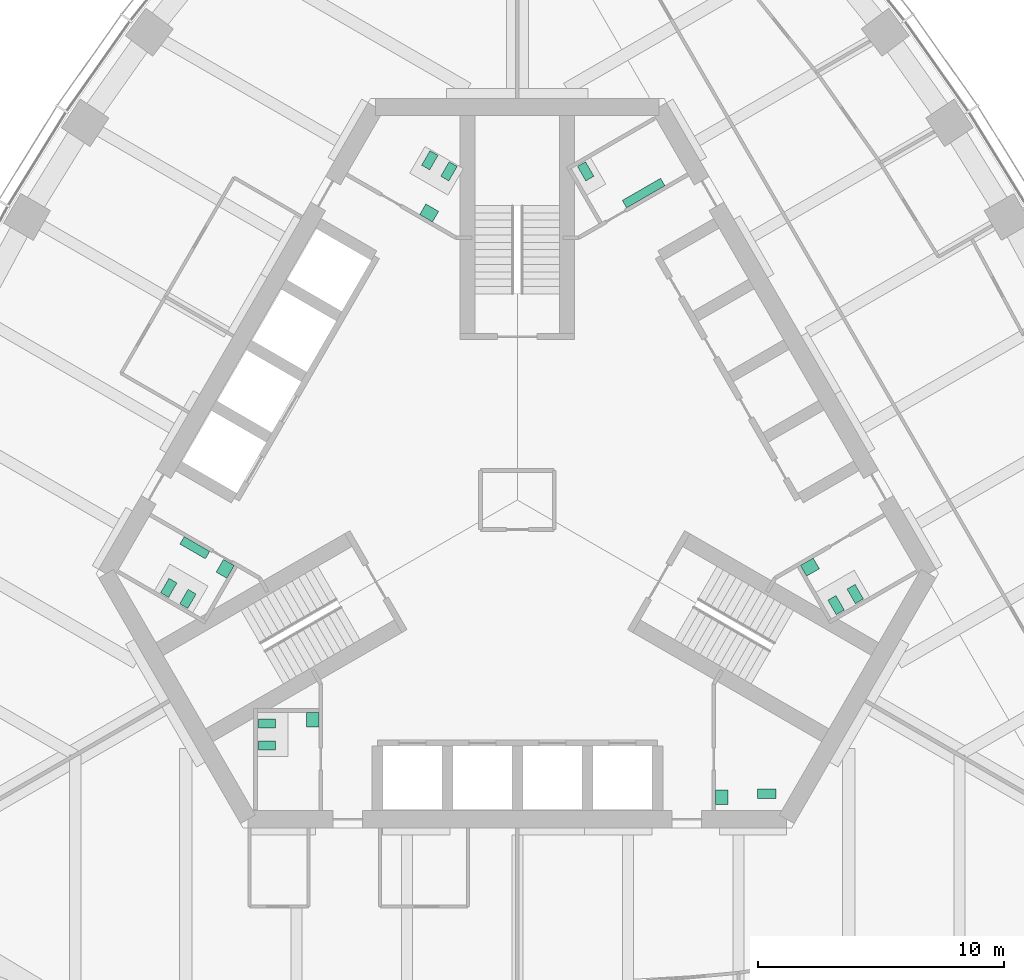
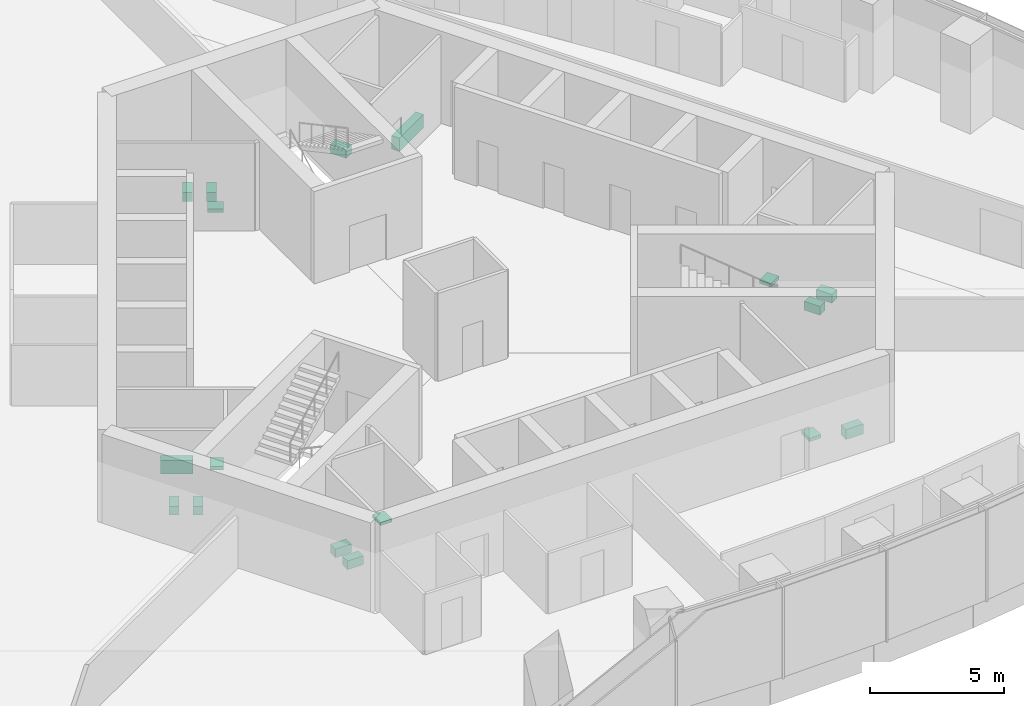
# One storey, part 14 of 15: 17 sanitary terminals.
"""IFC4 building model written with IfcOpenShell, lengths in metres."""

import ifcopenshell
import ifcopenshell.guid

model = None  # the IFC model being written
_history = None  # IfcOwnerHistory: only IFC2X3 demands one
_inside = {}  # id of a spatial element -> (the spatial element, [elements in it])
_under = {}  # id of a project, library or spatial element -> (it, [spatial elements below it])
_declared = {}  # id of a project -> (the project, [libraries it declares])
_typed = {}  # id of a type object -> (the type object, [elements of that type])
_made_of = {}  # id of a material, layer set ... -> (it, [elements and type objects made of it])


def new_model(schema):
    """Start an empty IFC model of exactly this schema.

    Asked for "IFC4X3", IfcOpenShell would pick the latest addendum, in which some entities
    have other attributes; the version numbers below select the first issue.
    IFC2X3 requires an IfcOwnerHistory on every rooted entity: one is made here for all.
    """
    global model, _history
    if schema == "IFC4X3":
        model = ifcopenshell.file(schema_version=(4, 3, 0, 0))
    else:
        model = ifcopenshell.file(schema=schema)
    _inside.clear()
    _under.clear()
    _declared.clear()
    _typed.clear()
    _made_of.clear()
    _history = None
    if model.schema == "IFC2X3":
        org = make("IfcOrganization", Name="unknown")
        user = make(
            "IfcPersonAndOrganization",
            ThePerson=make("IfcPerson", FamilyName="unknown"),
            TheOrganization=org,
        )
        app = make(
            "IfcApplication",
            ApplicationDeveloper=org,
            Version="unknown",
            ApplicationFullName="unknown",
            ApplicationIdentifier="unknown",
        )
        _history = make(
            "IfcOwnerHistory",
            OwningUser=user,
            OwningApplication=app,
            ChangeAction="ADDED",
            CreationDate=0,
        )
    return model


def make(cls, **values):
    """One entity of the class cls with the attributes given. An attribute that is None is left unset."""
    return model.create_entity(
        cls, **{name: value for name, value in values.items() if value is not None}
    )


def rooted(cls, **values):
    """An entity with a GlobalId (a new one), such as an element, a storey or a relation."""
    return make(cls, GlobalId=ifcopenshell.guid.new(), OwnerHistory=_history, **values)


def si_unit(unit_type, name, prefix=None):
    """IfcSIUnit, for example si_unit("LENGTHUNIT", "METRE", prefix="MILLI")."""
    return make("IfcSIUnit", UnitType=unit_type, Prefix=prefix, Name=name)


def assignment(units):
    """IfcUnitAssignment: the units of a project."""
    return None if units is None else make("IfcUnitAssignment", Units=units)


def point(xyz):
    """IfcCartesianPoint."""
    return None if xyz is None else make("IfcCartesianPoint", Coordinates=xyz)


def direction(xyz):
    """IfcDirection."""
    return None if xyz is None else make("IfcDirection", DirectionRatios=xyz)


def frame(location, z_axis=None, x_axis=None):
    """IfcAxis2Placement3D, a coordinate frame: its origin and axes. An axis left out is left unset."""
    return make(
        "IfcAxis2Placement3D",
        Location=point(location),
        Axis=direction(z_axis),
        RefDirection=direction(x_axis),
    )


def origin():
    """The frame at (0, 0, 0) with its axes left unset."""
    return frame((0.0, 0.0, 0.0))


def place(relative_to, where):
    """IfcLocalPlacement: puts the frame where relative to a parent placement (None: the world)."""
    return make(
        "IfcLocalPlacement", PlacementRelTo=relative_to, RelativePlacement=where
    )


def context(
    kind, dimensions, precision=None, world=None, true_north=None, identifier=None
):
    """IfcGeometricRepresentationContext, for example the 3D "Model" context."""
    return make(
        "IfcGeometricRepresentationContext",
        ContextIdentifier=identifier,
        ContextType=kind,
        CoordinateSpaceDimension=dimensions,
        Precision=precision,
        WorldCoordinateSystem=world,
        TrueNorth=true_north,
    )


def subcontext(parent, identifier, kind, view, scale=None):
    """IfcGeometricRepresentationSubContext, for example "Body" below "Model"."""
    return make(
        "IfcGeometricRepresentationSubContext",
        ContextIdentifier=identifier,
        ContextType=kind,
        ParentContext=parent,
        TargetScale=scale,
        TargetView=view,
    )


def project(units=None, contexts=None):
    """IfcProject with its units and contexts."""
    return rooted(
        "IfcProject",
        Name="project",
        RepresentationContexts=contexts,
        UnitsInContext=assignment(units),
    )


def spatial(cls, under=None, at=None, **own):
    """A site, building, storey or space (cls), placed at a placement, below another one or the project."""
    s = rooted(cls, ObjectPlacement=at, **own)
    if under is not None:
        _under.setdefault(under.id(), (under, []))[1].append(s)
    return s


def polyline(points):
    """IfcPolyline through the points."""
    return make("IfcPolyline", Points=[point(p) for p in points])


def outline(outer, holes=None, kind="AREA"):
    """IfcArbitraryClosedProfileDef: a profile drawn as a closed curve; with holes, ...WithVoids."""
    if holes is None:
        return make("IfcArbitraryClosedProfileDef", ProfileType=kind, OuterCurve=outer)
    return make(
        "IfcArbitraryProfileDefWithVoids",
        ProfileType=kind,
        OuterCurve=outer,
        InnerCurves=holes,
    )


def extrude(swept, where, along, depth):
    """IfcExtrudedAreaSolid: the profile swept, set in the frame where, extruded along a direction by depth."""
    return make(
        "IfcExtrudedAreaSolid",
        SweptArea=swept,
        Position=where,
        ExtrudedDirection=direction(along),
        Depth=depth,
    )


def shape(context_of_items, identifier, shape_type, items):
    """IfcShapeRepresentation: the items that make up one representation, for example the "Body"."""
    return make(
        "IfcShapeRepresentation",
        ContextOfItems=context_of_items,
        RepresentationIdentifier=identifier,
        RepresentationType=shape_type,
        Items=items,
    )


def material(Name=None, Category=None):
    """IfcMaterial."""
    return make("IfcMaterial", Name=Name, Category=Category)


def made_of(thing, what):
    """Note that an element or type object is made of a material, layer set ...; save() writes the relation."""
    if what is not None:
        _made_of.setdefault(what.id(), (what, []))[1].append(thing)
    return thing


def type_object(cls, material=None, **own):
    """A type object (cls), such as IfcWallType, which elements share."""
    return made_of(rooted(cls, **own), material)


def element(
    cls,
    number,
    at=None,
    inside=None,
    cuts=None,
    type_object=None,
    material=None,
    context=None,
    identifier="Body",
    shape_type=None,
    held_by="IfcProductDefinitionShape",
    body=None,
    shapes=None,
    **own,
):
    """One element of the class cls, such as IfcWall. Its Tag is "e" and its number.

    at: its placement. inside: the storey or other place that contains it. cuts: it is an
    opening in that element (IfcRelVoidsElement). A single representation is given by context,
    identifier, shape_type and body (its items); several are given by shapes. held_by: the class
    of the entity that holds the representations. save() writes the other relations.
    """
    e = rooted(cls, Tag="e%d" % number, ObjectPlacement=at, **own)
    if body is not None:
        shapes = [shape(context, identifier, shape_type, body)]
    if shapes is not None:
        e.Representation = make(held_by, Representations=shapes)
    if inside is not None:
        _inside.setdefault(inside.id(), (inside, []))[1].append(e)
    if cuts is not None:
        rooted(
            "IfcRelVoidsElement", RelatingBuildingElement=cuts, RelatedOpeningElement=e
        )
    if type_object is not None:
        _typed.setdefault(type_object.id(), (type_object, []))[1].append(e)
    return made_of(e, material)


def aggregate(whole, parts):
    """IfcRelAggregates: a whole, such as a stair, and the parts it consists of."""
    return rooted("IfcRelAggregates", RelatingObject=whole, RelatedObjects=parts)


def save(model, path):
    """Write the relations noted so far, then the file.

    IfcRelAggregates (storeys below a building ...), IfcRelContainedInSpatialStructure (elements
    in a storey), IfcRelDefinesByType, IfcRelAssociatesMaterial and IfcRelDeclares: one each for
    every whole, place, type object, material and project.
    """
    for whole, parts in _under.values():
        aggregate(whole, parts)
    for where, things in _inside.values():
        rooted(
            "IfcRelContainedInSpatialStructure",
            RelatedElements=things,
            RelatingStructure=where,
        )
    for kind, things in _typed.values():
        rooted("IfcRelDefinesByType", RelatedObjects=things, RelatingType=kind)
    for what, things in _made_of.values():
        rooted("IfcRelAssociatesMaterial", RelatedObjects=things, RelatingMaterial=what)
    for by, libraries in _declared.values():
        rooted("IfcRelDeclares", RelatingContext=by, RelatedDefinitions=libraries)
    model.write(path)


model = new_model("IFC4")

# Units and contexts
model_context = context("Model", 3, precision=1e-05, world=origin(), true_north=direction((0.0, 1.0)))
body_context = subcontext(model_context, "Body", "Model", "MODEL_VIEW")
ifc_project = project(units=[si_unit("LENGTHUNIT", "METRE"), si_unit("AREAUNIT", "SQUARE_METRE"), si_unit("VOLUMEUNIT", "CUBIC_METRE"), si_unit("PLANEANGLEUNIT", "RADIAN"), si_unit("MASSUNIT", "GRAM", prefix="KILO")], contexts=[model_context])

# Site, building, storey
site_placement = place(None, origin())
site = spatial("IfcSite", under=ifc_project, at=site_placement, CompositionType="ELEMENT")
building_placement = place(site_placement, origin())
building = spatial("IfcBuilding", under=site, at=building_placement, Name="Trefoil Bronze Tower", CompositionType="ELEMENT")
storey_placement = place(building_placement, frame((0.0, 0.0, 276.300048828125)))
storey = spatial("IfcBuildingStorey", under=building, at=storey_placement, Name="L63", CompositionType="ELEMENT", Elevation=276.300048828125)

# Sanitary terminals
ifc_material_1 = material(Name="Vitreous china", Category="ceramic")
sanitary_terminal_type_1 = type_object("IfcSanitaryTerminalType", Name="Accessible WC pan", PredefinedType="TOILETPAN", material=ifc_material_1)
sanitary_terminal_1_placement = place(storey_placement, origin())
element("IfcSanitaryTerminal", 1, at=sanitary_terminal_1_placement, inside=storey, type_object=sanitary_terminal_type_1, Name="WC pan 1 Accessible WC L63", PredefinedType="TOILETPAN", context=body_context, shape_type="SweptSolid", body=[
    extrude(outline(polyline([(9.784912109375, -11.77001953125), (10.534912109375, -11.77001953125), (10.534912109375, -12.14990234375), (9.784912109375, -12.14990234375), (9.784912109375, -11.77001953125)])), origin(), (0.0, 0.0, 1.0), 0.449951171875),
])
ifc_material_2 = material(Name="Vitreous china", Category="ceramic")
sanitary_terminal_type_2 = type_object("IfcSanitaryTerminalType", Name="Accessible basin", PredefinedType="WASHHANDBASIN", material=ifc_material_2)
sanitary_terminal_2_placement = place(storey_placement, frame((0.0, 0.0, 0.64990234375)))
element("IfcSanitaryTerminal", 2, at=sanitary_terminal_2_placement, inside=storey, type_object=sanitary_terminal_type_2, Name="Wash basin Accessible WC L63", PredefinedType="WASHHANDBASIN", context=body_context, shape_type="SweptSolid", body=[
    extrude(outline(polyline([(8.074951171875, -11.800048828125), (8.574951171875, -11.800048828125), (8.574951171875, -12.39990234375), (8.074951171875, -12.39990234375), (8.074951171875, -11.800048828125)])), origin(), (0.0, 0.0, 1.0), 0.150146484375),
])
ifc_material_3 = material(Name="Vitreous china", Category="ceramic")
sanitary_terminal_type_3 = type_object("IfcSanitaryTerminalType", Name="Urinal range 2 urinals", PredefinedType="URINAL", material=ifc_material_3)
sanitary_terminal_3_placement = place(storey_placement, frame((0.0, 0.0, 0.39990234375)))
element("IfcSanitaryTerminal", 3, at=sanitary_terminal_3_placement, inside=storey, type_object=sanitary_terminal_type_3, Name="Urinal range WC (men) L63", PredefinedType="URINAL", context=body_context, shape_type="SweptSolid", body=[
    extrude(outline(polyline([(-12.524658203125, -2.09326171875), (-12.699462890625, -2.396240234375), (-13.73876953125, -1.796142578125), (-13.563720703125, -1.4931640625), (-12.524658203125, -2.09326171875)])), origin(), (0.0, 0.0, 1.0), 0.60009765625),
])
ifc_material_4 = material(Name="Vitreous china", Category="ceramic")
sanitary_terminal_type_4 = type_object("IfcSanitaryTerminalType", Name="Urinal range 3 urinals", PredefinedType="URINAL", material=ifc_material_4)
sanitary_terminal_4_placement = place(storey_placement, frame((0.0, 0.0, 0.39990234375)))
element("IfcSanitaryTerminal", 4, at=sanitary_terminal_4_placement, inside=storey, type_object=sanitary_terminal_type_4, Name="Urinal range WC (men) L63", PredefinedType="URINAL", context=body_context, shape_type="SweptSolid", body=[
    extrude(outline(polyline([(4.449462890625, 11.89306640625), (4.274658203125, 12.1962890625), (5.83349609375, 13.09619140625), (6.00830078125, 12.793212890625), (4.449462890625, 11.89306640625)])), origin(), (0.0, 0.0, 1.0), 0.60009765625),
])
ifc_material_5 = material(Name="Solid surface vanity", Category="plastic")
sanitary_terminal_type_5 = type_object("IfcSanitaryTerminalType", Name="Vanity unit 1 basins", PredefinedType="WASHHANDBASIN", material=ifc_material_5)
sanitary_terminal_5_placement = place(storey_placement, frame((0.0, 0.0, 0.75)))
element("IfcSanitaryTerminal", 5, at=sanitary_terminal_5_placement, inside=storey, type_object=sanitary_terminal_type_5, Name="Vanity unit WC (women) L63", PredefinedType="WASHHANDBASIN", context=body_context, shape_type="SweptSolid", body=[
    extrude(outline(polyline([(11.528564453125, -2.668212890625), (11.778564453125, -3.10107421875), (12.29833984375, -2.80126953125), (12.04833984375, -2.3681640625), (11.528564453125, -2.668212890625)])), origin(), (0.0, 0.0, 1.0), 0.14990234375),
])
sanitary_terminal_6_placement = place(storey_placement, frame((0.0, 0.0, 0.75)))
element("IfcSanitaryTerminal", 6, at=sanitary_terminal_6_placement, inside=storey, type_object=sanitary_terminal_type_5, Name="Vanity unit WC (women) L63", PredefinedType="WASHHANDBASIN", context=body_context, shape_type="SweptSolid", body=[
    extrude(outline(polyline([(-3.45361328125, 11.318115234375), (-3.20361328125, 11.751220703125), (-3.72314453125, 12.05126953125), (-3.97314453125, 11.6181640625), (-3.45361328125, 11.318115234375)])), origin(), (0.0, 0.0, 1.0), 0.14990234375),
])
sanitary_terminal_7_placement = place(storey_placement, frame((0.0, 0.0, 0.75)))
element("IfcSanitaryTerminal", 7, at=sanitary_terminal_7_placement, inside=storey, type_object=sanitary_terminal_type_5, Name="Vanity unit WC (men) L63", PredefinedType="WASHHANDBASIN", context=body_context, shape_type="SweptSolid", body=[
    extrude(outline(polyline([(-11.528564453125, -2.668212890625), (-11.82861328125, -3.187744140625), (-12.26171875, -2.937744140625), (-11.961669921875, -2.418212890625), (-11.528564453125, -2.668212890625)])), origin(), (0.0, 0.0, 1.0), 0.14990234375),
])
sanitary_terminal_8_placement = place(storey_placement, frame((0.0, 0.0, 0.75)))
element("IfcSanitaryTerminal", 8, at=sanitary_terminal_8_placement, inside=storey, type_object=sanitary_terminal_type_5, Name="Vanity unit WC (women) L63", PredefinedType="WASHHANDBASIN", context=body_context, shape_type="SweptSolid", body=[
    extrude(outline(polyline([(-8.074951171875, -8.64990234375), (-8.574951171875, -8.64990234375), (-8.574951171875, -9.25), (-8.074951171875, -9.25), (-8.074951171875, -8.64990234375)])), origin(), (0.0, 0.0, 1.0), 0.14990234375),
])
ifc_material_6 = material(Name="Vitreous china", Category="ceramic")
sanitary_terminal_type_6 = type_object("IfcSanitaryTerminalType", Name="WC pan", PredefinedType="TOILETPAN", material=ifc_material_6)
sanitary_terminal_9_placement = place(storey_placement, origin())
element("IfcSanitaryTerminal", 9, at=sanitary_terminal_9_placement, inside=storey, type_object=sanitary_terminal_type_6, Name="WC pan 1 WC (women) L63", PredefinedType="TOILETPAN", context=body_context, shape_type="SweptSolid", body=[
    extrude(outline(polyline([(12.643798828125, -4.07958984375), (12.98388671875, -4.66845703125), (13.31298828125, -4.478515625), (12.972900390625, -3.8896484375), (12.643798828125, -4.07958984375)])), origin(), (0.0, 0.0, 1.0), 0.39990234375),
])
sanitary_terminal_10_placement = place(storey_placement, origin())
element("IfcSanitaryTerminal", 10, at=sanitary_terminal_10_placement, inside=storey, type_object=sanitary_terminal_type_6, Name="WC pan 2 WC (women) L63", PredefinedType="TOILETPAN", context=body_context, shape_type="SweptSolid", body=[
    extrude(outline(polyline([(13.423095703125, -3.629638671875), (13.76318359375, -4.218505859375), (14.09228515625, -4.028564453125), (13.752197265625, -3.439697265625), (13.423095703125, -3.629638671875)])), origin(), (0.0, 0.0, 1.0), 0.39990234375),
])
sanitary_terminal_11_placement = place(storey_placement, origin())
element("IfcSanitaryTerminal", 11, at=sanitary_terminal_11_placement, inside=storey, type_object=sanitary_terminal_type_6, Name="WC pan 1 WC (men) L63", PredefinedType="TOILETPAN", context=body_context, shape_type="SweptSolid", body=[
    extrude(outline(polyline([(2.788818359375, 12.98974609375), (2.44873046875, 13.57861328125), (2.77783203125, 13.7685546875), (3.117919921875, 13.1796875), (2.788818359375, 12.98974609375)])), origin(), (0.0, 0.0, 1.0), 0.39990234375),
])
sanitary_terminal_12_placement = place(storey_placement, origin())
element("IfcSanitaryTerminal", 12, at=sanitary_terminal_12_placement, inside=storey, type_object=sanitary_terminal_type_6, Name="WC pan 1 WC (women) L63", PredefinedType="TOILETPAN", context=body_context, shape_type="SweptSolid", body=[
    extrude(outline(polyline([(-2.788818359375, 12.98974609375), (-2.44873046875, 13.57861328125), (-2.77783203125, 13.7685546875), (-3.117919921875, 13.1796875), (-2.788818359375, 12.98974609375)])), origin(), (0.0, 0.0, 1.0), 0.39990234375),
])
sanitary_terminal_13_placement = place(storey_placement, origin())
element("IfcSanitaryTerminal", 13, at=sanitary_terminal_13_placement, inside=storey, type_object=sanitary_terminal_type_6, Name="WC pan 2 WC (women) L63", PredefinedType="TOILETPAN", context=body_context, shape_type="SweptSolid", body=[
    extrude(outline(polyline([(-3.568115234375, 13.439697265625), (-3.228271484375, 14.028564453125), (-3.557373046875, 14.218505859375), (-3.897216796875, 13.629638671875), (-3.568115234375, 13.439697265625)])), origin(), (0.0, 0.0, 1.0), 0.39990234375),
])
sanitary_terminal_14_placement = place(storey_placement, origin())
element("IfcSanitaryTerminal", 14, at=sanitary_terminal_14_placement, inside=storey, type_object=sanitary_terminal_type_6, Name="WC pan 1 WC (men) L63", PredefinedType="TOILETPAN", context=body_context, shape_type="SweptSolid", body=[
    extrude(outline(polyline([(-13.076904296875, -3.82958984375), (-13.416748046875, -4.41845703125), (-13.745849609375, -4.228515625), (-13.406005859375, -3.6396484375), (-13.076904296875, -3.82958984375)])), origin(), (0.0, 0.0, 1.0), 0.39990234375),
])
sanitary_terminal_15_placement = place(storey_placement, origin())
element("IfcSanitaryTerminal", 15, at=sanitary_terminal_15_placement, inside=storey, type_object=sanitary_terminal_type_6, Name="WC pan 2 WC (men) L63", PredefinedType="TOILETPAN", context=body_context, shape_type="SweptSolid", body=[
    extrude(outline(polyline([(-13.856201171875, -3.379638671875), (-14.1962890625, -3.968505859375), (-14.525390625, -3.778564453125), (-14.185302734375, -3.189697265625), (-13.856201171875, -3.379638671875)])), origin(), (0.0, 0.0, 1.0), 0.39990234375),
])
sanitary_terminal_16_placement = place(storey_placement, origin())
element("IfcSanitaryTerminal", 16, at=sanitary_terminal_16_placement, inside=storey, type_object=sanitary_terminal_type_6, Name="WC pan 1 WC (women) L63", PredefinedType="TOILETPAN", context=body_context, shape_type="SweptSolid", body=[
    extrude(outline(polyline([(-9.85498046875, -8.909912109375), (-10.534912109375, -8.909912109375), (-10.534912109375, -9.2900390625), (-9.85498046875, -9.2900390625), (-9.85498046875, -8.909912109375)])), origin(), (0.0, 0.0, 1.0), 0.39990234375),
])
sanitary_terminal_17_placement = place(storey_placement, origin())
element("IfcSanitaryTerminal", 17, at=sanitary_terminal_17_placement, inside=storey, type_object=sanitary_terminal_type_6, Name="WC pan 2 WC (women) L63", PredefinedType="TOILETPAN", context=body_context, shape_type="SweptSolid", body=[
    extrude(outline(polyline([(-9.85498046875, -9.81005859375), (-10.534912109375, -9.81005859375), (-10.534912109375, -10.18994140625), (-9.85498046875, -10.18994140625), (-9.85498046875, -9.81005859375)])), origin(), (0.0, 0.0, 1.0), 0.39990234375),
])

save(model, "model.ifc")
